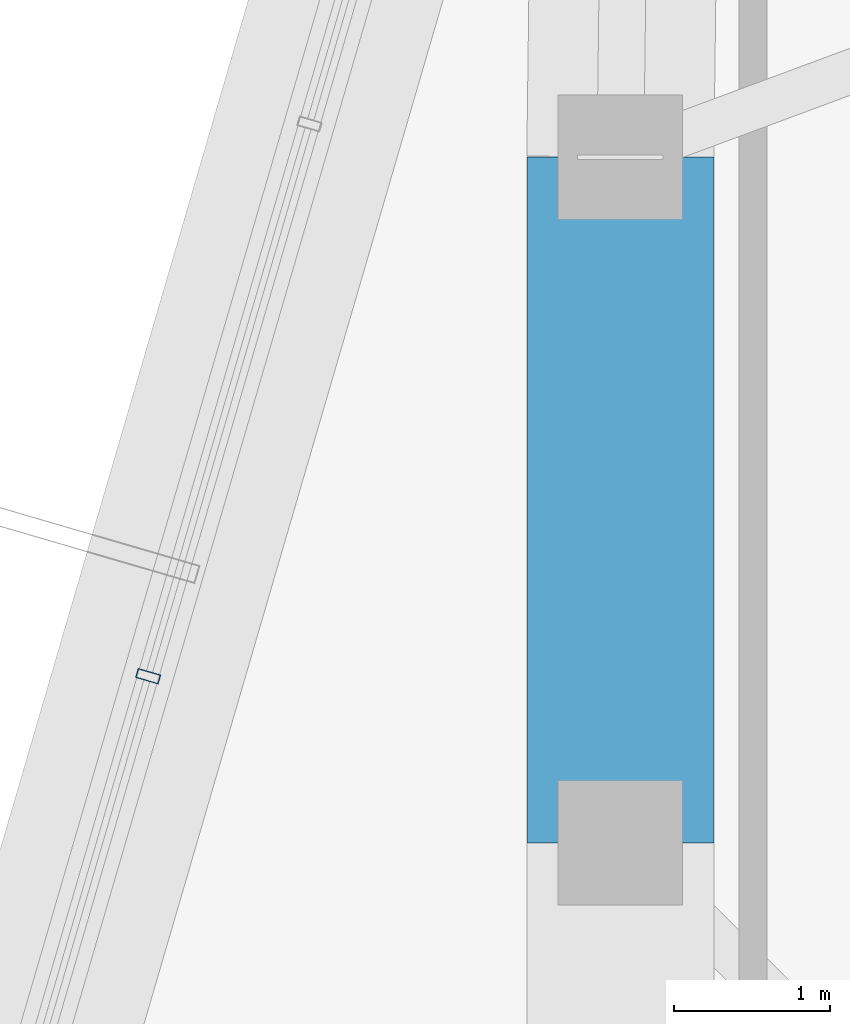
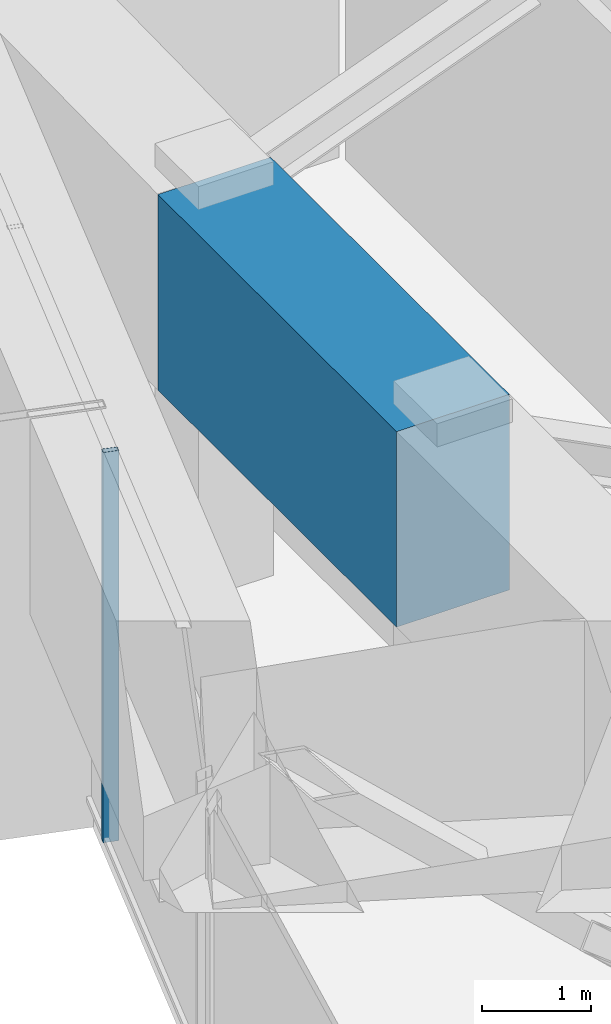
# One storey, part 14 of 39: 1 beam, 1 member, 1 element without a shape of its own.
"""IFC4 building model written with IfcOpenShell, lengths in metres."""

from ifc_helpers import new_model, si_unit, direction, frame, origin, origin_2d, place, context, subcontext, project, spatial, rectangle, hollow_rectangle, extrude, source, transform, mapped, material, layer, layer_set, material_profile, profile_set, type_object, element, aggregate, save


model = new_model("IFC4")

# Units and contexts
model_context = context("Model", 3, precision=1e-05, world=origin(), true_north=direction((0.0, 1.0)))
body_context = subcontext(model_context, "Body", "Model", "MODEL_VIEW")
ifc_project = project(units=[si_unit("LENGTHUNIT", "METRE"), si_unit("AREAUNIT", "SQUARE_METRE"), si_unit("VOLUMEUNIT", "CUBIC_METRE"), si_unit("PLANEANGLEUNIT", "RADIAN"), si_unit("MASSUNIT", "GRAM", prefix="KILO")], contexts=[model_context])

# Site, building, storey
site_placement = place(None, origin())
site = spatial("IfcSite", under=ifc_project, at=site_placement, CompositionType="ELEMENT")
building_placement = place(site_placement, origin())
building = spatial("IfcBuilding", under=site, at=building_placement, Name="Veraguas Prism Commons", CompositionType="ELEMENT")
storey_placement = place(building_placement, frame((0.0, 0.0, 264.25)))
storey = spatial("IfcBuildingStorey", under=building, at=storey_placement, Name="L75", CompositionType="ELEMENT", Elevation=264.25)

# Beam
ifc_material_1 = material(Name="Concrete C50/60", Category="concrete")
ifc_material_profile_1 = material_profile(ifc_material_1, rectangle(XDim=1.199951171875, YDim=2.199951171875, at=origin_2d()), Name="RC1200X2200")
ifc_profile_set_1 = profile_set([ifc_material_profile_1], Name="Concrete C50/60")
beam_type = type_object("IfcBeamType", Name="Podium Transfer Girder RC 1200x2200", PredefinedType="BEAM", material=ifc_profile_set_1)
beam_placement = place(storey_placement, frame((10.199951171875, 28.39990234375, 3.2900390625), z_axis=(0.0, -1.0, 0.0), x_axis=(1.0, 0.0, 0.0)))
element("IfcBeam", 1, at=beam_placement, inside=storey, type_object=beam_type, Name="Perimeter Spandrel Beam L75-SP07", PredefinedType="BEAM", context=body_context, shape_type="SweptSolid", body=[
    extrude(rectangle(XDim=1.199951171875, YDim=2.199951171875, at=origin_2d()), origin(), (0.0, 0.0, 1.0), 4.39990234375),
])

# Curtain wall, member
ifc_material_2 = material(Name="Anodised aluminium EN AW-6063 T6", Category="aluminium")
ifc_layer = layer(ifc_material_2, 0.14990234375, Name="Unitised Flush Curtain Wall Zone 4", Category="aluminium")
ifc_layer_set = layer_set([ifc_layer], Name="Anodised aluminium EN AW-6063 T6")
curtain_wall_type = type_object("IfcCurtainWallType", Name="Unitised Flush Curtain Wall Zone 4", PredefinedType="NOTDEFINED", material=ifc_layer_set)
curtain_wall_placement = place(storey_placement, origin())
curtain_wall = element("IfcCurtainWall", 2, at=curtain_wall_placement, inside=storey, type_object=curtain_wall_type, Name="Tower Facade Curtain Wall L75-F3", PredefinedType="NOTDEFINED")
ifc_material_profile_2 = material_profile(ifc_material_2, hollow_rectangle(XDim=0.06005859375, YDim=0.14990234375, WallThickness=0.0029296875, at=origin_2d()), Name="AL60X150X3")
ifc_profile_set_2 = profile_set([ifc_material_profile_2], Name="Anodised aluminium EN AW-6063 T6")
member_type = type_object("IfcMemberType", Name="Curtain Wall Mullion Upper AL 60x150x3", PredefinedType="MULLION", material=ifc_profile_set_2)
shared_shape = source(origin(), body_context, "Body", "SweptSolid", [
    extrude(hollow_rectangle(XDim=0.06005859375, YDim=0.14990234375, WallThickness=0.0029296875, at=origin_2d()), origin(), (0.0, 0.0, 1.0), 4.389892578125),
])
member_placement = place(storey_placement, frame((7.17041015625, 25.069091796875, 0.0), z_axis=(0.0, 0.0, 1.0), x_axis=(-0.28033835796, -0.959901247554, 0.0)))
member = element("IfcMember", 3, at=member_placement, type_object=member_type, Name="CW-Z4 Mullion 4", PredefinedType="MULLION", context=body_context, shape_type="MappedRepresentation", body=[
    mapped(shared_shape, transform((0.0, 0.0, 0.0), scale=1.0)),
])
aggregate(curtain_wall, [member])

save(model, "model.ifc")
